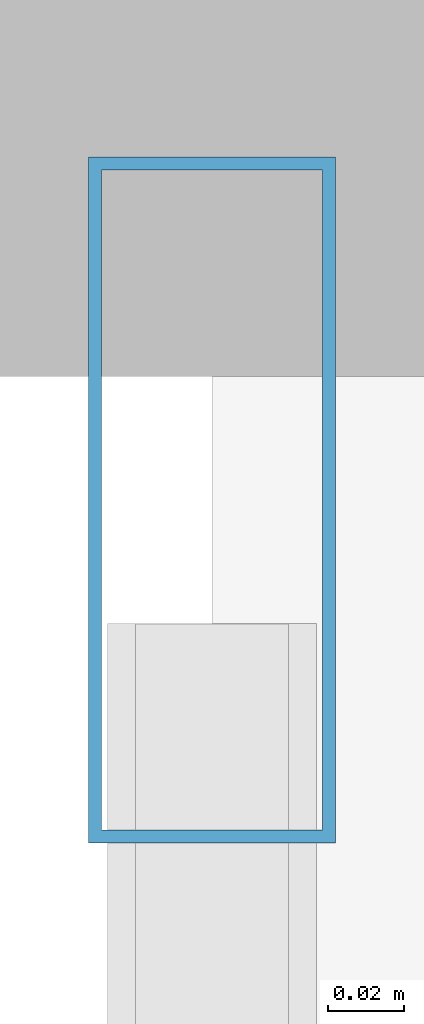
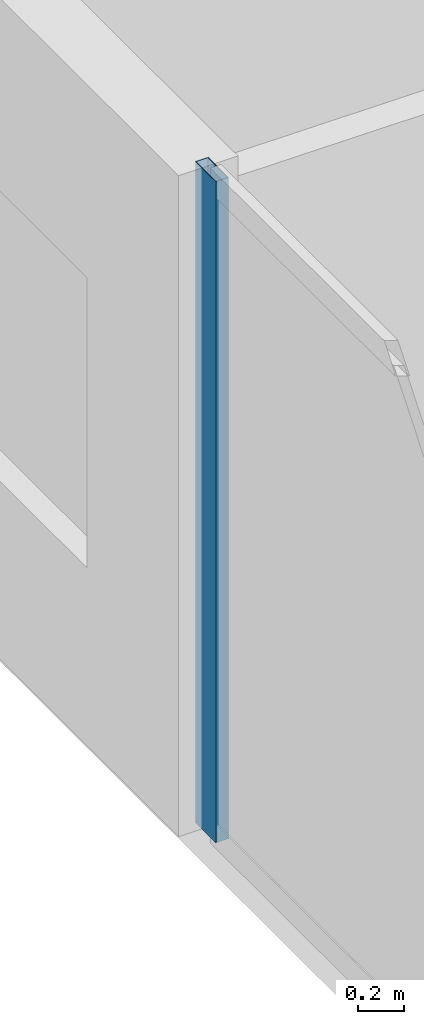
# One storey, part 15 of 33: 1 member, 1 element without a shape of its own.
"""IFC4 building model written with IfcOpenShell, lengths in metres."""

from ifc_helpers import new_model, si_unit, direction, frame, origin, origin_2d, place, context, subcontext, project, spatial, hollow_rectangle, extrude, material, layer, layer_set, material_profile, profile_set, type_object, element, aggregate, save


model = new_model("IFC4")

# Units and contexts
model_context = context("Model", 3, precision=1e-05, world=origin(), true_north=direction((0.0, 1.0)))
body_context = subcontext(model_context, "Body", "Model", "MODEL_VIEW")
ifc_project = project(units=[si_unit("LENGTHUNIT", "METRE"), si_unit("AREAUNIT", "SQUARE_METRE"), si_unit("VOLUMEUNIT", "CUBIC_METRE"), si_unit("PLANEANGLEUNIT", "RADIAN"), si_unit("MASSUNIT", "GRAM", prefix="KILO")], contexts=[model_context])

# Site, building, storey
site_placement = place(None, origin())
site = spatial("IfcSite", under=ifc_project, at=site_placement, CompositionType="ELEMENT")
building_placement = place(site_placement, origin())
building = spatial("IfcBuilding", under=site, at=building_placement, Name="Zuhayl Quay Hotel", CompositionType="ELEMENT")
storey_placement = place(building_placement, frame((0.0, 0.0, 222.39990234375)))
storey = spatial("IfcBuildingStorey", under=building, at=storey_placement, Name="L56", CompositionType="ELEMENT", Elevation=222.39990234375)

# Curtain wall, member
ifc_material_1 = material(Name="Anodised Aluminium 6063-T6", Category="aluminium")
ifc_layer = layer(ifc_material_1, 0.175048828125, Name="Anodised Aluminium 6063-T6", Category="aluminium")
ifc_layer_set = layer_set([ifc_layer], Name="Anodised Aluminium 6063-T6")
curtain_wall_type = type_object("IfcCurtainWallType", Name="CW_SYS_Z3", PredefinedType="USERDEFINED", material=ifc_layer_set)
curtain_wall_placement = place(storey_placement, origin())
curtain_wall = element("IfcCurtainWall", 1, at=curtain_wall_placement, inside=storey, type_object=curtain_wall_type, Name="L56 Curtain Wall ENV_L56_E05_CW1", ObjectType="UNITISED CURTAIN WALL", PredefinedType="USERDEFINED")
ifc_material_2 = material(Name="Black-anodised aluminium 6063-T6", Category="aluminium")
ifc_material_profile = material_profile(ifc_material_2, hollow_rectangle(XDim=0.06494140625, YDim=0.179931640625, WallThickness=0.00341796875, at=origin_2d()), Name="ALU180X65")
ifc_profile_set = profile_set([ifc_material_profile], Name="Black-anodised aluminium 6063-T6")
member_type = type_object("IfcMemberType", Name="MB_CW_MUL_180", PredefinedType="MULLION", material=ifc_profile_set)
member_placement = place(storey_placement, frame((-22.10009765625, 24.517578125, 0.0), z_axis=(0.0, 0.0, 1.0), x_axis=(-1.0, 0.0, 0.0)))
member = element("IfcMember", 2, at=member_placement, type_object=member_type, Name="CW-Z3 mullion 2", PredefinedType="MULLION", context=body_context, shape_type="SweptSolid", body=[
    extrude(hollow_rectangle(XDim=0.06494140625, YDim=0.179931640625, WallThickness=0.00341796875, at=origin_2d()), origin(), (0.0, 0.0, 1.0), 3.530029296875),
])
aggregate(curtain_wall, [member])

save(model, "model.ifc")
